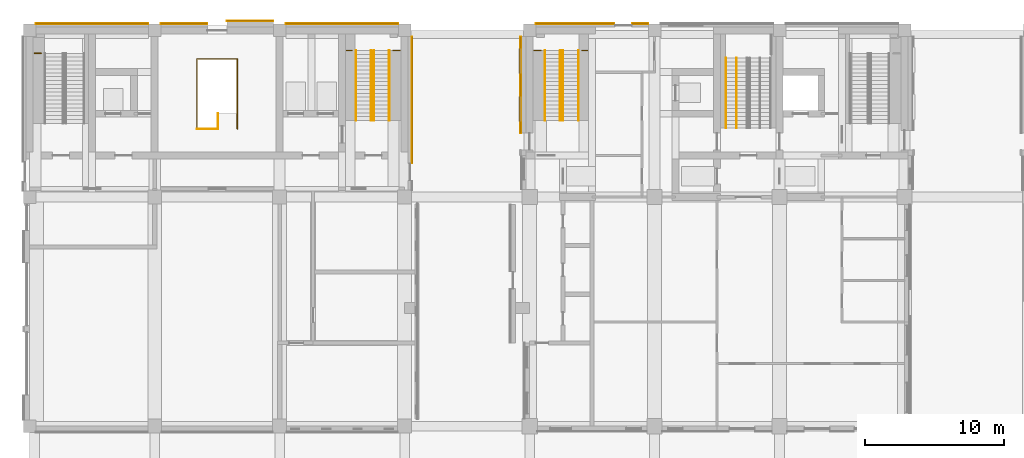
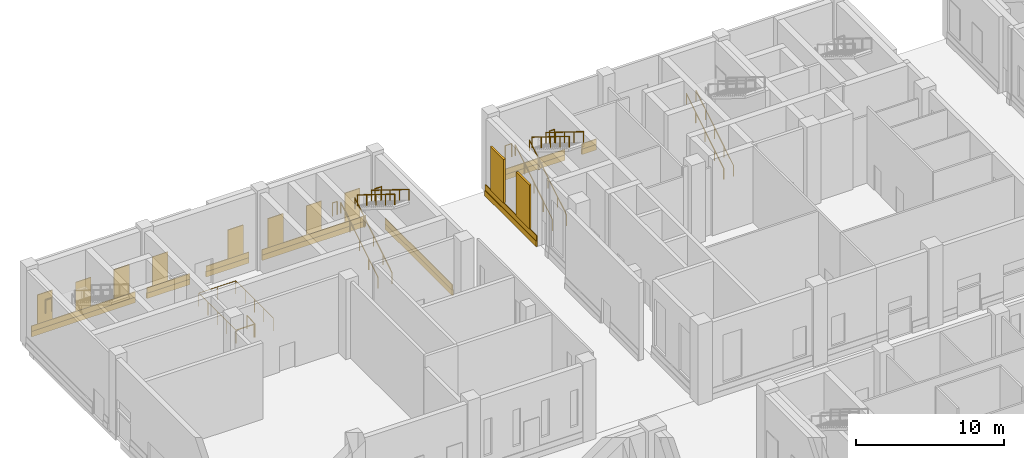
# One storey, part 29 of 35: 26 coverings, 18 railings.
"""IFC4 building model written with IfcOpenShell, lengths in metres."""

from ifc_helpers import new_model, si_unit, direction, frame, origin, origin_2d, place, context, subcontext, project, spatial, rectangle, circle, extrude, material, layer, layer_set, type_object, element, save


model = new_model("IFC4")

# Units and contexts
model_context = context("Model", 3, precision=1e-05, world=origin(), true_north=direction((0.0, 1.0)))
body_context = subcontext(model_context, "Body", "Model", "MODEL_VIEW")
ifc_project = project(units=[si_unit("LENGTHUNIT", "METRE"), si_unit("AREAUNIT", "SQUARE_METRE"), si_unit("VOLUMEUNIT", "CUBIC_METRE"), si_unit("PLANEANGLEUNIT", "RADIAN"), si_unit("MASSUNIT", "GRAM", prefix="KILO")], contexts=[model_context])

# Site, building, storey
site_placement = place(None, origin())
site = spatial("IfcSite", under=ifc_project, at=site_placement, CompositionType="ELEMENT")
building_placement = place(site_placement, origin())
building = spatial("IfcBuilding", under=site, at=building_placement, Name="Aurelan Courthouse", CompositionType="ELEMENT")
storey_placement = place(building_placement, origin())
storey = spatial("IfcBuildingStorey", under=building, at=storey_placement, Name="L00", CompositionType="ELEMENT", Elevation=0.0)

# Coverings
ifc_material_1 = material(Name="Granite cladding", Category="masonry")
covering_type_1 = type_object("IfcCoveringType", Name="Courtroom Block rusticated plinth course 450 x 100", PredefinedType="CLADDING", material=ifc_material_1)
covering_1_placement = place(storey_placement, frame((35.35009765625, 62.074951171875, 0.0), z_axis=(0.0, 0.0, 1.0), x_axis=(1.0, 0.0, 0.0)))
element("IfcCovering", 1, at=covering_1_placement, inside=storey, type_object=covering_type_1, Name="Plinth course PLC-V2-033", PredefinedType="CLADDING", context=body_context, shape_type="SweptSolid", body=[
    extrude(rectangle(XDim=0.10009765625, YDim=6.949951171875, at=origin_2d()), origin(), (0.0, 0.0, 1.0), 0.449951171875),
])
covering_2_placement = place(storey_placement, frame((35.3701171875, 62.074951171875, 0.4501953125), z_axis=(0.0, 0.0, 1.0), x_axis=(1.0, 0.0, 0.0)))
element("IfcCovering", 2, at=covering_2_placement, inside=storey, type_object=covering_type_1, Name="Plinth course PLC-V2-034", PredefinedType="CLADDING", context=body_context, shape_type="SweptSolid", body=[
    extrude(rectangle(XDim=0.06005859375, YDim=6.949951171875, at=origin_2d()), origin(), (0.0, 0.0, 1.0), 0.449951171875),
])
covering_3_placement = place(storey_placement, frame((39.27490234375, 66.5, 0.0), z_axis=(0.0, 0.0, 1.0), x_axis=(1.0, 0.0, 0.0)))
element("IfcCovering", 3, at=covering_3_placement, inside=storey, type_object=covering_type_1, Name="Plinth course PLC-V2-037", PredefinedType="CLADDING", context=body_context, shape_type="SweptSolid", body=[
    extrude(rectangle(XDim=5.64990234375, YDim=0.10009765625, at=origin_2d()), origin(), (0.0, 0.0, 1.0), 0.449951171875),
])
covering_4_placement = place(storey_placement, frame((43.97509765625, 66.5, 0.0), z_axis=(0.0, 0.0, 1.0), x_axis=(1.0, 0.0, 0.0)))
element("IfcCovering", 4, at=covering_4_placement, inside=storey, type_object=covering_type_1, Name="Plinth course PLC-V2-038", PredefinedType="CLADDING", context=body_context, shape_type="SweptSolid", body=[
    extrude(rectangle(XDim=1.14990234375, YDim=0.10009765625, at=origin_2d()), origin(), (0.0, 0.0, 1.0), 0.449951171875),
])
covering_5_placement = place(storey_placement, frame((39.27490234375, 66.47998046875, 0.4501953125), z_axis=(0.0, 0.0, 1.0), x_axis=(1.0, 0.0, 0.0)))
element("IfcCovering", 5, at=covering_5_placement, inside=storey, type_object=covering_type_1, Name="Plinth course PLC-V2-039", PredefinedType="CLADDING", context=body_context, shape_type="SweptSolid", body=[
    extrude(rectangle(XDim=5.64990234375, YDim=0.06005859375, at=origin_2d()), origin(), (0.0, 0.0, 1.0), 0.449951171875),
])
covering_6_placement = place(storey_placement, frame((43.97509765625, 66.47998046875, 0.4501953125), z_axis=(0.0, 0.0, 1.0), x_axis=(1.0, 0.0, 0.0)))
element("IfcCovering", 6, at=covering_6_placement, inside=storey, type_object=covering_type_1, Name="Plinth course PLC-V2-040", PredefinedType="CLADDING", context=body_context, shape_type="SweptSolid", body=[
    extrude(rectangle(XDim=1.14990234375, YDim=0.06005859375, at=origin_2d()), origin(), (0.0, 0.0, 1.0), 0.449951171875),
])
ifc_material_2 = material(Name="Bronze sheet cladding")
ifc_layer_1 = layer(ifc_material_2, 0.06005859375)
ifc_layer_set_1 = layer_set([ifc_layer_1], Name="Bronze sheet cladding")
covering_type_2 = type_object("IfcCoveringType", Name="Custody Suite blind bay 1200 x 2400", PredefinedType="CLADDING", material=ifc_layer_set_1)
for number, where, z_axis, x_axis, name in (
    (7, (1.5, 66.47998046875, 0.900146484375), (0.0, 0.0, 1.0), (1.0, 0.0, 0.0), "Blind bay BB-V6-L00-008"),
    (8, (4.5, 66.47998046875, 0.900146484375), (0.0, 0.0, 1.0), (1.0, 0.0, 0.0), "Blind bay BB-V6-L00-009"),
    (9, (7.5, 66.47998046875, 0.900146484375), (0.0, 0.0, 1.0), (1.0, 0.0, 0.0), "Blind bay BB-V6-L00-010"),
    (10, (10.5, 66.47998046875, 0.900146484375), (0.0, 0.0, 1.0), (1.0, 0.0, 0.0), "Blind bay BB-V6-L00-011"),
    (11, (16.5, 66.679931640625, 0.900146484375), (0.0, 0.0, 1.0), (1.0, 0.0, 0.0), "Blind bay BB-V6-L00-012"),
    (12, (19.5, 66.47998046875, 0.900146484375), (0.0, 0.0, 1.0), (1.0, 0.0, 0.0), "Blind bay BB-V6-L00-013"),
    (13, (22.5, 66.47998046875, 0.900146484375), (0.0, 0.0, 1.0), (1.0, 0.0, 0.0), "Blind bay BB-V6-L00-014"),
    (14, (25.5, 66.47998046875, 0.900146484375), (0.0, 0.0, 1.0), (1.0, 0.0, 0.0), "Blind bay BB-V6-L00-015"),
):
    element("IfcCovering", number, at=place(storey_placement, frame(where, z_axis=z_axis, x_axis=x_axis)), inside=storey, type_object=covering_type_2, Name=name, PredefinedType="CLADDING", context=body_context, shape_type="SweptSolid", body=[
        extrude(rectangle(XDim=1.199951171875, YDim=0.06005859375, at=origin_2d()), origin(), (0.0, 0.0, 1.0), 2.39990234375),
    ])
covering_type_3 = type_object("IfcCoveringType", Name="Custody Suite rusticated plinth course 450 x 100", PredefinedType="CLADDING", material=ifc_material_1)
covering_7_placement = place(storey_placement, frame((27.550048828125, 61.0, 0.0), z_axis=(0.0, 0.0, 1.0), x_axis=(1.0, 0.0, 0.0)))
element("IfcCovering", 15, at=covering_7_placement, inside=storey, type_object=covering_type_3, Name="Plinth course PLC-V6-020", PredefinedType="CLADDING", context=body_context, shape_type="SweptSolid", body=[
    extrude(rectangle(XDim=0.10009765625, YDim=9.10009765625, at=origin_2d()), origin(), (0.0, 0.0, 1.0), 0.449951171875),
])
covering_8_placement = place(storey_placement, frame((27.530029296875, 61.0, 0.4501953125), z_axis=(0.0, 0.0, 1.0), x_axis=(1.0, 0.0, 0.0)))
element("IfcCovering", 16, at=covering_8_placement, inside=storey, type_object=covering_type_3, Name="Plinth course PLC-V6-022", PredefinedType="CLADDING", context=body_context, shape_type="SweptSolid", body=[
    extrude(rectangle(XDim=0.06005859375, YDim=9.10009765625, at=origin_2d()), origin(), (0.0, 0.0, 1.0), 0.449951171875),
])
covering_9_placement = place(storey_placement, frame((4.5, 66.5, 0.0), z_axis=(0.0, 0.0, 1.0), x_axis=(1.0, 0.0, 0.0)))
element("IfcCovering", 17, at=covering_9_placement, inside=storey, type_object=covering_type_3, Name="Plinth course PLC-V6-023", PredefinedType="CLADDING", context=body_context, shape_type="SweptSolid", body=[
    extrude(rectangle(XDim=8.10009765625, YDim=0.10009765625, at=origin_2d()), origin(), (0.0, 0.0, 1.0), 0.449951171875),
])
covering_10_placement = place(storey_placement, frame((4.5, 66.47998046875, 0.4501953125), z_axis=(0.0, 0.0, 1.0), x_axis=(1.0, 0.0, 0.0)))
element("IfcCovering", 18, at=covering_10_placement, inside=storey, type_object=covering_type_3, Name="Plinth course PLC-V6-024", PredefinedType="CLADDING", context=body_context, shape_type="SweptSolid", body=[
    extrude(rectangle(XDim=8.10009765625, YDim=0.06005859375, at=origin_2d()), origin(), (0.0, 0.0, 1.0), 0.449951171875),
])
covering_11_placement = place(storey_placement, frame((11.125, 66.5, 0.0), z_axis=(0.0, 0.0, 1.0), x_axis=(1.0, 0.0, 0.0)))
element("IfcCovering", 19, at=covering_11_placement, inside=storey, type_object=covering_type_3, Name="Plinth course PLC-V6-025", PredefinedType="CLADDING", context=body_context, shape_type="SweptSolid", body=[
    extrude(rectangle(XDim=3.35009765625, YDim=0.10009765625, at=origin_2d()), origin(), (0.0, 0.0, 1.0), 0.449951171875),
])
covering_12_placement = place(storey_placement, frame((11.125, 66.47998046875, 0.4501953125), z_axis=(0.0, 0.0, 1.0), x_axis=(1.0, 0.0, 0.0)))
element("IfcCovering", 20, at=covering_12_placement, inside=storey, type_object=covering_type_3, Name="Plinth course PLC-V6-026", PredefinedType="CLADDING", context=body_context, shape_type="SweptSolid", body=[
    extrude(rectangle(XDim=3.35009765625, YDim=0.06005859375, at=origin_2d()), origin(), (0.0, 0.0, 1.0), 0.449951171875),
])
covering_13_placement = place(storey_placement, frame((22.5, 66.5, 0.0), z_axis=(0.0, 0.0, 1.0), x_axis=(1.0, 0.0, 0.0)))
element("IfcCovering", 21, at=covering_13_placement, inside=storey, type_object=covering_type_3, Name="Plinth course PLC-V6-027", PredefinedType="CLADDING", context=body_context, shape_type="SweptSolid", body=[
    extrude(rectangle(XDim=8.10009765625, YDim=0.10009765625, at=origin_2d()), origin(), (0.0, 0.0, 1.0), 0.449951171875),
])
covering_14_placement = place(storey_placement, frame((22.5, 66.47998046875, 0.4501953125), z_axis=(0.0, 0.0, 1.0), x_axis=(1.0, 0.0, 0.0)))
element("IfcCovering", 22, at=covering_14_placement, inside=storey, type_object=covering_type_3, Name="Plinth course PLC-V6-028", PredefinedType="CLADDING", context=body_context, shape_type="SweptSolid", body=[
    extrude(rectangle(XDim=8.10009765625, YDim=0.06005859375, at=origin_2d()), origin(), (0.0, 0.0, 1.0), 0.449951171875),
])
covering_15_placement = place(storey_placement, frame((15.875, 66.699951171875, 0.0), z_axis=(0.0, 0.0, 1.0), x_axis=(1.0, 0.0, 0.0)))
element("IfcCovering", 23, at=covering_15_placement, inside=storey, type_object=covering_type_3, Name="Plinth course PLC-V6-029", PredefinedType="CLADDING", context=body_context, shape_type="SweptSolid", body=[
    extrude(rectangle(XDim=3.35009765625, YDim=0.10009765625, at=origin_2d()), origin(), (0.0, 0.0, 1.0), 0.449951171875),
])
covering_16_placement = place(storey_placement, frame((15.875, 66.679931640625, 0.4501953125), z_axis=(0.0, 0.0, 1.0), x_axis=(1.0, 0.0, 0.0)))
element("IfcCovering", 24, at=covering_16_placement, inside=storey, type_object=covering_type_3, Name="Plinth course PLC-V6-030", PredefinedType="CLADDING", context=body_context, shape_type="SweptSolid", body=[
    extrude(rectangle(XDim=3.35009765625, YDim=0.06005859375, at=origin_2d()), origin(), (0.0, 0.0, 1.0), 0.449951171875),
])
ifc_layer_2 = layer(ifc_material_2, 0.14990234375)
ifc_layer_set_2 = layer_set([ifc_layer_2], Name="Bronze sheet cladding")
covering_type_4 = type_object("IfcCoveringType", Name="Relief panel 1800 x 3600 x 150", PredefinedType="CLADDING", material=ifc_layer_set_2)
for number, where, z_axis, x_axis, name in (
    (25, (35.324951171875, 60.33740234375, 1.0), (0.0, 0.0, 1.0), (1.0, 0.0, 0.0), "Relief panel RP-V2-002"),
    (26, (35.324951171875, 63.8125, 1.0), (0.0, 0.0, 1.0), (1.0, 0.0, 0.0), "Relief panel RP-V2-003"),
):
    element("IfcCovering", number, at=place(storey_placement, frame(where, z_axis=z_axis, x_axis=x_axis)), inside=storey, type_object=covering_type_4, Name=name, PredefinedType="CLADDING", context=body_context, shape_type="SweptSolid", body=[
        extrude(rectangle(XDim=0.14990234375, YDim=1.800048828125, at=origin_2d()), origin(), (0.0, 0.0, 1.0), 3.60009765625),
    ])

# Railings
ifc_material_3 = material(Name="Steel S355", Category="steel")
railing_type_1 = type_object("IfcRailingType", Name="Stair guard 1100", PredefinedType="GUARDRAIL", material=ifc_material_3)
railing_1_placement = place(storey_placement, frame((13.449951171875, 58.905029296875, 0.0)))
element("IfcRailing", 27, at=railing_1_placement, inside=storey, type_object=railing_type_1, Name="Guard BS-3-L00-G1", PredefinedType="GUARDRAIL", context=body_context, shape_type="SweptSolid", body=[
    extrude(circle(Radius=0.02392578125, at=origin_2d()), frame((0.0, 0.0, 1.076171875), z_axis=(-1.0, 0.0, 0.0), x_axis=(0.0, -1.0, 0.0)), (0.0, 0.0, 1.0), 1.39990234375),
    extrude(circle(Radius=0.02099609375, at=origin_2d()), origin(), (0.0, 0.0, 1.0), 1.052001953125),
    extrude(circle(Radius=0.02099609375, at=origin_2d()), frame((-1.39990234375, 0.0, 0.0)), (0.0, 0.0, 1.0), 1.052001953125),
])
railing_2_placement = place(storey_placement, frame((12.050048828125, 58.905029296875, 0.0)))
element("IfcRailing", 28, at=railing_2_placement, inside=storey, type_object=railing_type_1, Name="Guard BS-3-L00-G2", PredefinedType="GUARDRAIL", context=body_context, shape_type="SweptSolid", body=[
    extrude(circle(Radius=0.02392578125, at=origin_2d()), frame((0.0, 0.0, 1.076171875), z_axis=(0.0, 1.0, 0.0), x_axis=(-1.0, 0.0, 0.0)), (0.0, 0.0, 1.0), 5.0400390625),
    extrude(circle(Radius=0.02392578125, at=origin_2d()), frame((0.0, 5.0400390625, 1.076171875), z_axis=(1.0, 0.0, 0.0), x_axis=(0.0, 1.0, 0.0)), (0.0, 0.0, 1.0), 2.89990234375),
    extrude(circle(Radius=0.02392578125, at=origin_2d()), frame((2.89990234375, 5.0400390625, 1.076171875), z_axis=(0.0, -1.0, 0.0), x_axis=(1.0, 0.0, 0.0)), (0.0, 0.0, 1.0), 5.0400390625),
    extrude(circle(Radius=0.02099609375, at=origin_2d()), origin(), (0.0, 0.0, 1.0), 1.052001953125),
    extrude(circle(Radius=0.02099609375, at=origin_2d()), frame((0.0, 1.260009765625, 0.0)), (0.0, 0.0, 1.0), 1.052001953125),
    extrude(circle(Radius=0.02099609375, at=origin_2d()), frame((0.0, 2.52001953125, 0.0)), (0.0, 0.0, 1.0), 1.052001953125),
    extrude(circle(Radius=0.02099609375, at=origin_2d()), frame((0.0, 3.780029296875, 0.0)), (0.0, 0.0, 1.0), 1.052001953125),
    extrude(circle(Radius=0.02099609375, at=origin_2d()), frame((0.0, 5.0400390625, 0.0)), (0.0, 0.0, 1.0), 1.052001953125),
    extrude(circle(Radius=0.02099609375, at=origin_2d()), frame((1.449951171875, 5.0400390625, 0.0)), (0.0, 0.0, 1.0), 1.052001953125),
    extrude(circle(Radius=0.02099609375, at=origin_2d()), frame((2.89990234375, 5.0400390625, 0.0)), (0.0, 0.0, 1.0), 1.052001953125),
    extrude(circle(Radius=0.02099609375, at=origin_2d()), frame((2.89990234375, 3.780029296875, 0.0)), (0.0, 0.0, 1.0), 1.052001953125),
    extrude(circle(Radius=0.02099609375, at=origin_2d()), frame((2.89990234375, 2.52001953125, 0.0)), (0.0, 0.0, 1.0), 1.052001953125),
    extrude(circle(Radius=0.02099609375, at=origin_2d()), frame((2.89990234375, 1.260009765625, 0.0)), (0.0, 0.0, 1.0), 1.052001953125),
    extrude(circle(Radius=0.02099609375, at=origin_2d()), frame((2.89990234375, 0.0, 0.0)), (0.0, 0.0, 1.0), 1.052001953125),
])
railing_3_placement = place(storey_placement, frame((13.550048828125, 58.905029296875, 0.0)))
element("IfcRailing", 29, at=railing_3_placement, inside=storey, type_object=railing_type_1, Name="Guard BS-3-L00-G3", PredefinedType="GUARDRAIL", context=body_context, shape_type="SweptSolid", body=[
    extrude(circle(Radius=0.02392578125, at=origin_2d()), frame((0.0, 0.0, 1.076171875), z_axis=(0.0, 1.0, 0.0), x_axis=(-1.0, 0.0, 0.0)), (0.0, 0.0, 1.0), 1.119873046875),
    extrude(circle(Radius=0.02099609375, at=origin_2d()), origin(), (0.0, 0.0, 1.0), 1.052001953125),
    extrude(circle(Radius=0.02099609375, at=origin_2d()), frame((0.0, 1.119873046875, 0.0)), (0.0, 0.0, 1.0), 1.052001953125),
])
railing_4_placement = place(storey_placement, frame((36.830078125, 64.550048828125, 3.300048828125)))
element("IfcRailing", 30, at=railing_4_placement, inside=storey, type_object=railing_type_1, Name="Guard CS-2-L00-GL1", PredefinedType="GUARDRAIL", context=body_context, shape_type="SweptSolid", body=[
    extrude(circle(Radius=0.02392578125, at=origin_2d()), frame((0.0, 0.0, 1.076171875), z_axis=(-1.0, 0.0, 0.0), x_axis=(0.0, -1.0, 0.0)), (0.0, 0.0, 1.0), 0.5),
    extrude(circle(Radius=0.02099609375, at=origin_2d()), origin(), (0.0, 0.0, 1.0), 1.052001953125),
    extrude(circle(Radius=0.02099609375, at=origin_2d()), frame((-0.5, 0.0, 0.0)), (0.0, 0.0, 1.0), 1.052001953125),
])
for number, where, name in (
    (31, (40.169921875, 64.550048828125, 3.300048828125), "Guard CS-2-L00-GL2"),
    (32, (23.2099609375, 64.550048828125, 3.300048828125), "Guard CS-6-L00-GL1"),
):
    element("IfcRailing", number, at=place(storey_placement, frame(where)), inside=storey, type_object=railing_type_1, Name=name, PredefinedType="GUARDRAIL", context=body_context, shape_type="SweptSolid", body=[
        extrude(circle(Radius=0.02392578125, at=origin_2d()), frame((0.0, 0.0, 1.076171875), z_axis=(-1.0, 0.0, 0.0), x_axis=(0.0, -1.0, 0.0)), (0.0, 0.0, 1.0), 0.3798828125),
        extrude(circle(Radius=0.02099609375, at=origin_2d()), origin(), (0.0, 0.0, 1.0), 1.052001953125),
        extrude(circle(Radius=0.02099609375, at=origin_2d()), frame((-0.3798828125, 0.0, 0.0)), (0.0, 0.0, 1.0), 1.052001953125),
    ])
for number, where, name in (
    (33, (26.669921875, 64.550048828125, 3.300048828125), "Guard CS-6-L00-GL2"),
    (34, (0.830078125, 64.35009765625, 3.300048828125), "Guard ST-6-L00-GL1"),
):
    element("IfcRailing", number, at=place(storey_placement, frame(where)), inside=storey, type_object=railing_type_1, Name=name, PredefinedType="GUARDRAIL", context=body_context, shape_type="SweptSolid", body=[
        extrude(circle(Radius=0.02392578125, at=origin_2d()), frame((0.0, 0.0, 1.076171875), z_axis=(-1.0, 0.0, 0.0), x_axis=(0.0, -1.0, 0.0)), (0.0, 0.0, 1.0), 0.5),
        extrude(circle(Radius=0.02099609375, at=origin_2d()), origin(), (0.0, 0.0, 1.0), 1.052001953125),
        extrude(circle(Radius=0.02099609375, at=origin_2d()), frame((-0.5, 0.0, 0.0)), (0.0, 0.0, 1.0), 1.052001953125),
    ])
railing_type_2 = type_object("IfcRailingType", Name="Stair handrail 900", PredefinedType="HANDRAIL", material=ifc_material_3)
for number, where, name in (
    (35, (37.110107421875, 59.510009765625, 0.173583984375), "Handrail CS-2-L00-H1"),
    (36, (38.2099609375, 59.510009765625, 0.173583984375), "Handrail CS-2-L00-H2"),
):
    element("IfcRailing", number, at=place(storey_placement, frame(where)), inside=storey, type_object=railing_type_2, Name=name, PredefinedType="HANDRAIL", context=body_context, shape_type="SweptSolid", body=[
        extrude(circle(Radius=0.02392578125, at=origin_2d()), frame((0.0, 0.0, 0.8759765625), z_axis=(0.0, 0.849778785312, 0.527139465448), x_axis=(-1.0, 0.0, 0.0)), (0.0, 0.0, 1.0), 5.930908203125),
        extrude(circle(Radius=0.02099609375, at=origin_2d()), origin(), (0.0, 0.0, 1.0), 0.851806640625),
        extrude(circle(Radius=0.02099609375, at=origin_2d()), frame((0.0, 1.260009765625, 0.78173828125)), (0.0, 0.0, 1.0), 0.851806640625),
        extrude(circle(Radius=0.02099609375, at=origin_2d()), frame((0.0, 2.52001953125, 1.563232421875)), (0.0, 0.0, 1.0), 0.851806640625),
        extrude(circle(Radius=0.02099609375, at=origin_2d()), frame((0.0, 3.780029296875, 2.3447265625)), (0.0, 0.0, 1.0), 0.851806640625),
        extrude(circle(Radius=0.02099609375, at=origin_2d()), frame((0.0, 5.0400390625, 3.12646484375)), (0.0, 0.0, 1.0), 0.851806640625),
    ])
for number, where, name in (
    (37, (38.409912109375, 64.550048828125, 3.4736328125), "Handrail CS-2-L00-H3"),
    (38, (39.510009765625, 64.550048828125, 3.4736328125), "Handrail CS-2-L00-H4"),
):
    element("IfcRailing", number, at=place(storey_placement, frame(where)), inside=storey, type_object=railing_type_2, Name=name, PredefinedType="HANDRAIL", context=body_context, shape_type="SweptSolid", body=[
        extrude(circle(Radius=0.02392578125, at=origin_2d()), frame((0.0, 0.0, 0.8759765625), z_axis=(0.0, -0.849778785312, 0.527139465448), x_axis=(1.0, 0.0, 0.0)), (0.0, 0.0, 1.0), 5.930908203125),
        extrude(circle(Radius=0.02099609375, at=origin_2d()), origin(), (0.0, 0.0, 1.0), 0.851806640625),
        extrude(circle(Radius=0.02099609375, at=origin_2d()), frame((0.0, -1.260009765625, 0.78173828125)), (0.0, 0.0, 1.0), 0.851806640625),
        extrude(circle(Radius=0.02099609375, at=origin_2d()), frame((0.0, -2.52001953125, 1.563232421875)), (0.0, 0.0, 1.0), 0.851806640625),
        extrude(circle(Radius=0.02099609375, at=origin_2d()), frame((0.0, -3.780029296875, 2.3447265625)), (0.0, 0.0, 1.0), 0.851806640625),
        extrude(circle(Radius=0.02099609375, at=origin_2d()), frame((0.0, -5.0400390625, 3.12646484375)), (0.0, 0.0, 1.0), 0.851806640625),
    ])
for number, where, name in (
    (39, (23.489990234375, 59.510009765625, 0.173583984375), "Handrail CS-6-L00-H1"),
    (40, (24.590087890625, 59.510009765625, 0.173583984375), "Handrail CS-6-L00-H2"),
):
    element("IfcRailing", number, at=place(storey_placement, frame(where)), inside=storey, type_object=railing_type_2, Name=name, PredefinedType="HANDRAIL", context=body_context, shape_type="SweptSolid", body=[
        extrude(circle(Radius=0.02392578125, at=origin_2d()), frame((0.0, 0.0, 0.8759765625), z_axis=(0.0, 0.849778785312, 0.527139465448), x_axis=(-1.0, 0.0, 0.0)), (0.0, 0.0, 1.0), 5.930908203125),
        extrude(circle(Radius=0.02099609375, at=origin_2d()), origin(), (0.0, 0.0, 1.0), 0.851806640625),
        extrude(circle(Radius=0.02099609375, at=origin_2d()), frame((0.0, 1.260009765625, 0.78173828125)), (0.0, 0.0, 1.0), 0.851806640625),
        extrude(circle(Radius=0.02099609375, at=origin_2d()), frame((0.0, 2.52001953125, 1.563232421875)), (0.0, 0.0, 1.0), 0.851806640625),
        extrude(circle(Radius=0.02099609375, at=origin_2d()), frame((0.0, 3.780029296875, 2.3447265625)), (0.0, 0.0, 1.0), 0.851806640625),
        extrude(circle(Radius=0.02099609375, at=origin_2d()), frame((0.0, 5.0400390625, 3.12646484375)), (0.0, 0.0, 1.0), 0.851806640625),
    ])
for number, where, name in (
    (41, (24.7900390625, 64.550048828125, 3.4736328125), "Handrail CS-6-L00-H3"),
    (42, (25.889892578125, 64.550048828125, 3.4736328125), "Handrail CS-6-L00-H4"),
):
    element("IfcRailing", number, at=place(storey_placement, frame(where)), inside=storey, type_object=railing_type_2, Name=name, PredefinedType="HANDRAIL", context=body_context, shape_type="SweptSolid", body=[
        extrude(circle(Radius=0.02392578125, at=origin_2d()), frame((0.0, 0.0, 0.8759765625), z_axis=(0.0, -0.849778785312, 0.527139465448), x_axis=(1.0, 0.0, 0.0)), (0.0, 0.0, 1.0), 5.930908203125),
        extrude(circle(Radius=0.02099609375, at=origin_2d()), origin(), (0.0, 0.0, 1.0), 0.851806640625),
        extrude(circle(Radius=0.02099609375, at=origin_2d()), frame((0.0, -1.260009765625, 0.78173828125)), (0.0, 0.0, 1.0), 0.851806640625),
        extrude(circle(Radius=0.02099609375, at=origin_2d()), frame((0.0, -2.52001953125, 1.563232421875)), (0.0, 0.0, 1.0), 0.851806640625),
        extrude(circle(Radius=0.02099609375, at=origin_2d()), frame((0.0, -3.780029296875, 2.3447265625)), (0.0, 0.0, 1.0), 0.851806640625),
        extrude(circle(Radius=0.02099609375, at=origin_2d()), frame((0.0, -5.0400390625, 3.12646484375)), (0.0, 0.0, 1.0), 0.851806640625),
    ])
for number, where, name in (
    (43, (50.14990234375, 58.9599609375, 0.173583984375), "Handrail ST-2A-L00-H1"),
    (44, (50.89990234375, 58.9599609375, 0.173583984375), "Handrail ST-2A-L00-H3"),
):
    element("IfcRailing", number, at=place(storey_placement, frame(where)), inside=storey, type_object=railing_type_2, Name=name, PredefinedType="HANDRAIL", context=body_context, shape_type="SweptSolid", body=[
        extrude(circle(Radius=0.02392578125, at=origin_2d()), frame((0.0, 0.0, 0.8759765625), z_axis=(0.0, 0.849778785312, 0.527139465448), x_axis=(-1.0, 0.0, 0.0)), (0.0, 0.0, 1.0), 5.930908203125),
        extrude(circle(Radius=0.02099609375, at=origin_2d()), origin(), (0.0, 0.0, 1.0), 0.851806640625),
        extrude(circle(Radius=0.02099609375, at=origin_2d()), frame((0.0, 1.260009765625, 0.78173828125)), (0.0, 0.0, 1.0), 0.851806640625),
        extrude(circle(Radius=0.02099609375, at=origin_2d()), frame((0.0, 2.52001953125, 1.563232421875)), (0.0, 0.0, 1.0), 0.851806640625),
        extrude(circle(Radius=0.02099609375, at=origin_2d()), frame((0.0, 3.780029296875, 2.3447265625)), (0.0, 0.0, 1.0), 0.851806640625),
        extrude(circle(Radius=0.02099609375, at=origin_2d()), frame((0.0, 5.0400390625, 3.12646484375)), (0.0, 0.0, 1.0), 0.851806640625),
    ])

save(model, "model.ifc")
